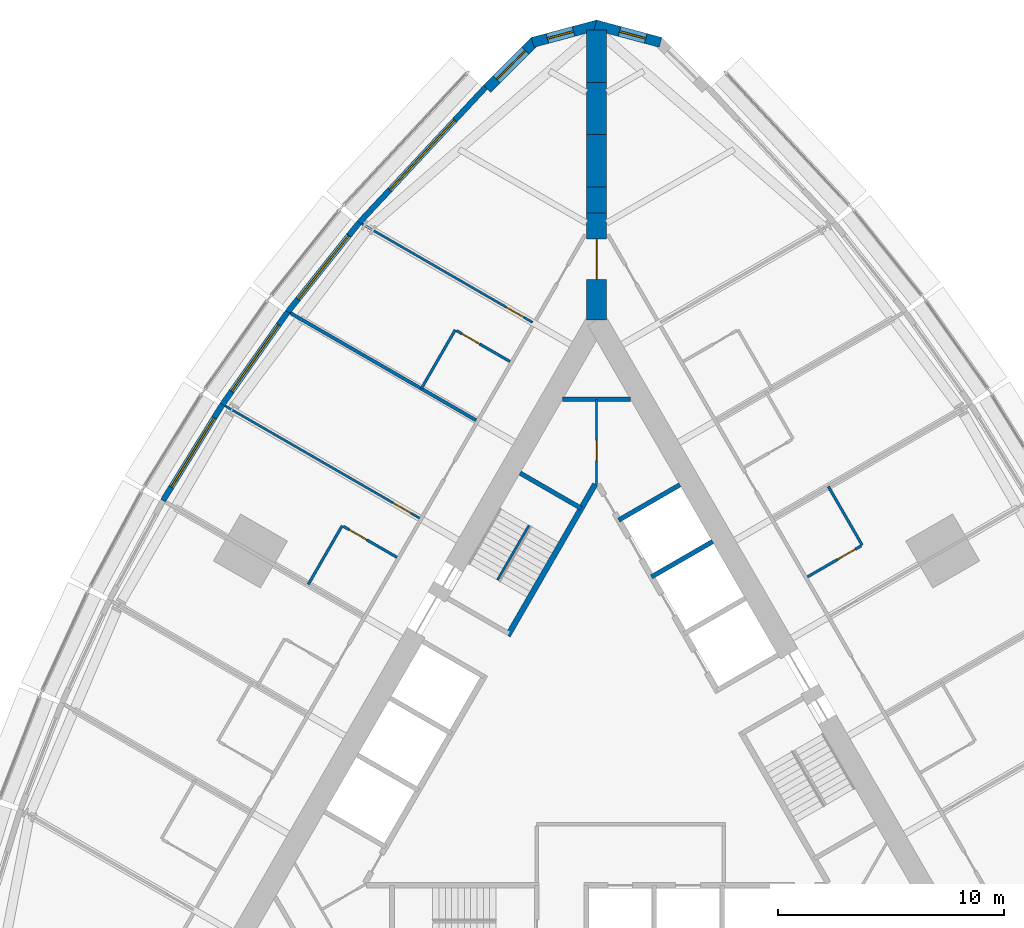
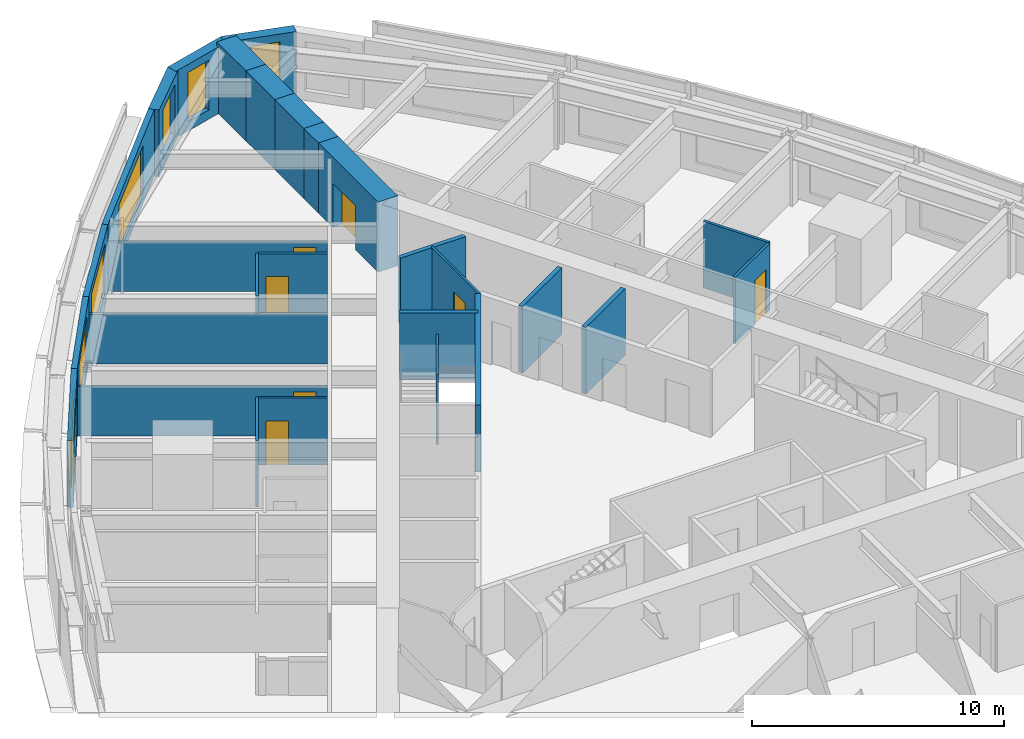
# One storey, part 12 of 14: 28 walls, 7 doors, 7 windows, 14 openings.
"""IFC4 building model written with IfcOpenShell, lengths in metres."""

from ifc_helpers import new_model, si_unit, direction, frame, frame_2d, origin, place, context, subcontext, project, spatial, polyline, rectangle, outline, extrude, material, layer, layer_set, type_object, element, fill, save


model = new_model("IFC4")

# Units and contexts
model_context = context("Model", 3, precision=1e-05, world=origin(), true_north=direction((0.0, 1.0)))
body_context = subcontext(model_context, "Body", "Model", "MODEL_VIEW")
ifc_project = project(units=[si_unit("LENGTHUNIT", "METRE"), si_unit("AREAUNIT", "SQUARE_METRE"), si_unit("VOLUMEUNIT", "CUBIC_METRE"), si_unit("PLANEANGLEUNIT", "RADIAN"), si_unit("MASSUNIT", "GRAM", prefix="KILO")], contexts=[model_context])

# Site, building, storey
site_placement = place(None, origin())
site = spatial("IfcSite", under=ifc_project, at=site_placement, CompositionType="ELEMENT")
building_placement = place(site_placement, origin())
building = spatial("IfcBuilding", under=site, at=building_placement, Name="Trikona Tower", CompositionType="ELEMENT")
storey_placement = place(building_placement, frame((0.0, 0.0, 72.699951171875)))
storey = spatial("IfcBuildingStorey", under=building, at=storey_placement, Name="L18", CompositionType="ELEMENT", Elevation=72.699951171875)

# Wall
ifc_material_1 = material(Name="Metal stud and cement board", Category="gypsum")
ifc_layer_1 = layer(ifc_material_1, 0.1201171875)
ifc_layer_set_1 = layer_set([ifc_layer_1], Name="Bathroom wall 120")
wall_type_1 = type_object("IfcWallType", Name="Bathroom wall 120", PredefinedType="PLUMBINGWALL", material=ifc_layer_set_1)
wall_1_placement = place(storey_placement, frame((11.75341796875, 9.09521484375, 0.0), z_axis=(0.0, 0.0, 1.0), x_axis=(-0.499990139034, 0.866031096941, 0.0)))
element("IfcWall", 1, at=wall_1_placement, inside=storey, type_object=wall_type_1, Name="Bathroom wall 1809.1", PredefinedType="PLUMBINGWALL", context=body_context, shape_type="SweptSolid", body=[
    extrude(rectangle(XDim=3.0, YDim=0.1201171875, at=frame_2d((1.5, 0.0))), origin(), (0.0, 0.0, 1.0), 3.235107421875),
])

# Wall, opening, door
wall_2_placement = place(storey_placement, frame((9.32861328125, 7.6953125, 0.0), z_axis=(0.0, 0.0, 1.0), x_axis=(0.866035715982, 0.499982138324, 0.0)))
wall_2 = element("IfcWall", 2, at=wall_2_placement, inside=storey, type_object=wall_type_1, Name="Bathroom wall 1809.1", PredefinedType="PLUMBINGWALL", context=body_context, shape_type="SweptSolid", body=[
    extrude(rectangle(XDim=2.73974609375, YDim=0.1201171875, at=frame_2d((1.369873046875, 0.0))), origin(), (0.0, 0.0, 1.0), 3.235107421875),
])
opening_1_placement = place(wall_2_placement, frame((1.550048828125, 0.0, 0.0)))
opening_1 = element("IfcOpeningElement", 3, at=opening_1_placement, cuts=wall_2, Name="Opening D2", PredefinedType="OPENING", context=body_context, shape_type="SweptSolid", body=[
    extrude(rectangle(XDim=0.89990234375, YDim=2.1298828125, at=frame_2d((0.449951171875, 1.06494140625))), frame((0.0, 0.070068359375, 0.0), z_axis=(0.0, -1.0, 0.0), x_axis=(1.0, 0.0, 0.0)), (0.0, 0.0, 1.0), 0.14013671875),
])
ifc_material_2 = material(Name="Steel door frame with solid-core timber leaf", Category="steel")
door_type_1 = type_object("IfcDoorType", Name="Bathroom door 900x2130", OperationType="SLIDING_TO_LEFT", PredefinedType="DOOR", material=ifc_material_2)
door_1_placement = place(opening_1_placement, origin())
door_1 = element("IfcDoor", 4, at=door_1_placement, inside=storey, type_object=door_type_1, Name="Bathroom door 1809.1", OperationType="SLIDING_TO_LEFT", OverallHeight=2.1298828125, OverallWidth=0.89990234375, PredefinedType="DOOR", context=body_context, shape_type="SweptSolid", body=[
    extrude(rectangle(XDim=0.89990234375, YDim=2.1298828125, at=frame_2d((0.449951171875, 1.06494140625))), frame((0.0, 0.02490234375, 0.0), z_axis=(0.0, -1.0, 0.0), x_axis=(1.0, 0.0, 0.0)), (0.0, 0.0, 1.0), 0.050048828125),
])
fill(opening_1, door_1)

# Wall
wall_3_placement = place(storey_placement, frame((-6.25341796875, 18.62158203125, 0.0), z_axis=(0.0, 0.0, 1.0), x_axis=(-0.499990139034, -0.866031096941, 0.0)))
element("IfcWall", 5, at=wall_3_placement, inside=storey, type_object=wall_type_1, Name="Bathroom wall 1812.1", PredefinedType="PLUMBINGWALL", context=body_context, shape_type="SweptSolid", body=[
    extrude(rectangle(XDim=3.0, YDim=0.1201171875, at=frame_2d((1.5, 0.0))), origin(), (0.0, 0.0, 1.0), 3.235107421875),
])

# Wall, opening, door
wall_4_placement = place(storey_placement, frame((-3.82861328125, 17.221435546875, 0.0), z_axis=(0.0, 0.0, 1.0), x_axis=(-0.865997131366, 0.500048966069, 0.0)))
wall_4 = element("IfcWall", 6, at=wall_4_placement, inside=storey, type_object=wall_type_1, Name="Bathroom wall 1812.1", PredefinedType="PLUMBINGWALL", context=body_context, shape_type="SweptSolid", body=[
    extrude(rectangle(XDim=2.739990234375, YDim=0.1201171875, at=frame_2d((1.3701171875, 0.0))), origin(), (0.0, 0.0, 1.0), 3.235107421875),
])
opening_2_placement = place(wall_4_placement, frame((1.550048828125, 0.0, 0.0)))
opening_2 = element("IfcOpeningElement", 7, at=opening_2_placement, cuts=wall_4, Name="Opening D2", PredefinedType="OPENING", context=body_context, shape_type="SweptSolid", body=[
    extrude(rectangle(XDim=0.89990234375, YDim=2.1298828125, at=frame_2d((0.449951171875, 1.06494140625))), frame((0.0, 0.070068359375, 0.0), z_axis=(0.0, -1.0, 0.0), x_axis=(1.0, 0.0, 0.0)), (0.0, 0.0, 1.0), 0.14013671875),
])
door_2_placement = place(opening_2_placement, origin())
door_2 = element("IfcDoor", 8, at=door_2_placement, inside=storey, type_object=door_type_1, Name="Bathroom door 1812.1", OperationType="SLIDING_TO_LEFT", OverallHeight=2.1298828125, OverallWidth=0.89990234375, PredefinedType="DOOR", context=body_context, shape_type="SweptSolid", body=[
    extrude(rectangle(XDim=0.89990234375, YDim=2.1298828125, at=frame_2d((0.449951171875, 1.06494140625))), frame((0.0, 0.02490234375, 0.0), z_axis=(0.0, -1.0, 0.0), x_axis=(1.0, 0.0, 0.0)), (0.0, 0.0, 1.0), 0.050048828125),
])
fill(opening_2, door_2)

# Wall
wall_5_placement = place(storey_placement, frame((-11.25341796875, 9.961181640625, 0.0), z_axis=(0.0, 0.0, 1.0), x_axis=(-0.499990139034, -0.866031096941, 0.0)))
element("IfcWall", 9, at=wall_5_placement, inside=storey, type_object=wall_type_1, Name="Bathroom wall 1813.1", PredefinedType="PLUMBINGWALL", context=body_context, shape_type="SweptSolid", body=[
    extrude(rectangle(XDim=3.0, YDim=0.1201171875, at=frame_2d((1.5, 0.0))), origin(), (0.0, 0.0, 1.0), 3.235107421875),
])

# Wall, opening, door
wall_6_placement = place(storey_placement, frame((-8.82861328125, 8.561279296875, 0.0), z_axis=(0.0, 0.0, 1.0), x_axis=(-0.866035715982, 0.499982138324, 0.0)))
wall_6 = element("IfcWall", 10, at=wall_6_placement, inside=storey, type_object=wall_type_1, Name="Bathroom wall 1813.1", PredefinedType="PLUMBINGWALL", context=body_context, shape_type="SweptSolid", body=[
    extrude(rectangle(XDim=2.73974609375, YDim=0.1201171875, at=frame_2d((1.369873046875, 0.0))), origin(), (0.0, 0.0, 1.0), 3.235107421875),
])
opening_3_placement = place(wall_6_placement, frame((1.550048828125, 0.0, 0.0)))
opening_3 = element("IfcOpeningElement", 11, at=opening_3_placement, cuts=wall_6, Name="Opening D2", PredefinedType="OPENING", context=body_context, shape_type="SweptSolid", body=[
    extrude(rectangle(XDim=0.89990234375, YDim=2.1298828125, at=frame_2d((0.449951171875, 1.06494140625))), frame((0.0, 0.070068359375, 0.0), z_axis=(0.0, -1.0, 0.0), x_axis=(1.0, 0.0, 0.0)), (0.0, 0.0, 1.0), 0.14013671875),
])
door_3_placement = place(opening_3_placement, origin())
door_3 = element("IfcDoor", 12, at=door_3_placement, inside=storey, type_object=door_type_1, Name="Bathroom door 1813.1", OperationType="SLIDING_TO_LEFT", OverallHeight=2.1298828125, OverallWidth=0.89990234375, PredefinedType="DOOR", context=body_context, shape_type="SweptSolid", body=[
    extrude(rectangle(XDim=0.89990234375, YDim=2.1298828125, at=frame_2d((0.449951171875, 1.06494140625))), frame((0.0, 0.02490234375, 0.0), z_axis=(0.0, -1.0, 0.0), x_axis=(1.0, 0.0, 0.0)), (0.0, 0.0, 1.0), 0.050048828125),
])
fill(opening_3, door_3)

# Wall, opening, window
ifc_material_3 = material(Name="Brick-faced precast concrete", Category="masonry")
ifc_layer_2 = layer(ifc_material_3, 0.449951171875)
ifc_layer_set_2 = layer_set([ifc_layer_2], Name="Brick-faced corner wall 450")
wall_type_2 = type_object("IfcWallType", Name="Brick-faced corner wall 450", PredefinedType="SOLIDWALL", material=ifc_layer_set_2)
wall_7_placement = place(storey_placement, frame((2.82861328125, 31.3408203125, 0.0), z_axis=(0.0, 0.0, 1.0), x_axis=(-0.965930548995, 0.258801419081, 0.0)))
wall_7 = element("IfcWall", 13, at=wall_7_placement, inside=storey, type_object=wall_type_2, Name="External wall L18-21", PredefinedType="SOLIDWALL", context=body_context, shape_type="SweptSolid", body=[
    extrude(outline(polyline([(2.988525390625, 0.22509765625), (2.92919921875, 0.22509765625), (2.4375, 0.09326171875), (2.40234375, 0.22509765625), (0.0, 0.22509765625), (0.0, -0.22509765625), (2.988525390625, -0.22509765625), (2.988525390625, 0.22509765625)])), origin(), (0.0, 0.0, 1.0), 3.235107421875),
])
opening_4_placement = place(wall_7_placement, frame((0.676025390625, 0.0, 0.449951171875)))
opening_4 = element("IfcOpeningElement", 14, at=opening_4_placement, cuts=wall_7, Name="Opening W1224", PredefinedType="OPENING", context=body_context, shape_type="SweptSolid", body=[
    extrude(rectangle(XDim=1.199951171875, YDim=2.39990234375, at=frame_2d((0.60009765625, 1.199951171875))), frame((0.0, 0.23486328125, 0.0), z_axis=(0.0, -1.0, 0.0), x_axis=(1.0, 0.0, 0.0)), (0.0, 0.0, 1.0), 0.469970703125),
])
ifc_material_4 = material(Name="Aluminium-framed double glazing", Category="aluminium")
window_type_1 = type_object("IfcWindowType", Name="Window 1200x2400", PartitioningType="SINGLE_PANEL", PredefinedType="WINDOW", material=ifc_material_4)
window_1_placement = place(opening_4_placement, origin())
window_1 = element("IfcWindow", 15, at=window_1_placement, inside=storey, type_object=window_type_1, Name="Window 1811", OverallHeight=2.39990234375, OverallWidth=1.199951171875, PartitioningType="SINGLE_PANEL", PredefinedType="WINDOW", context=body_context, shape_type="SweptSolid", body=[
    extrude(rectangle(XDim=1.199951171875, YDim=2.39990234375, at=frame_2d((0.60009765625, 1.199951171875))), frame((0.0, 0.030029296875, 0.0), z_axis=(0.0, -1.0, 0.0), x_axis=(1.0, 0.0, 0.0)), (0.0, 0.0, 1.0), 0.06005859375),
])
fill(opening_4, window_1)

wall_8_placement = place(storey_placement, frame((0.05810546875, 32.1142578125, 0.0), z_axis=(0.0, 0.0, 1.0), x_axis=(-0.965930548995, -0.258801419081, 0.0)))
wall_8 = element("IfcWall", 16, at=wall_8_placement, inside=storey, type_object=wall_type_2, Name="External wall L18-22", PredefinedType="SOLIDWALL", context=body_context, shape_type="SweptSolid", body=[
    extrude(outline(polyline([(2.988525390625, 0.22509765625), (0.58642578125, 0.22509765625), (0.551025390625, 0.09326171875), (0.059326171875, 0.22509765625), (0.0, 0.22509765625), (0.0, -0.22509765625), (2.988525390625, -0.22509765625), (2.988525390625, 0.22509765625)])), origin(), (0.0, 0.0, 1.0), 3.235107421875),
])
opening_5_placement = place(wall_8_placement, frame((1.112548828125, 0.0, 0.449951171875)))
opening_5 = element("IfcOpeningElement", 17, at=opening_5_placement, cuts=wall_8, Name="Opening W1224", PredefinedType="OPENING", context=body_context, shape_type="SweptSolid", body=[
    extrude(rectangle(XDim=1.199951171875, YDim=2.39990234375, at=frame_2d((0.60009765625, 1.199951171875))), frame((0.0, 0.23486328125, 0.0), z_axis=(0.0, -1.0, 0.0), x_axis=(1.0, 0.0, 0.0)), (0.0, 0.0, 1.0), 0.469970703125),
])
window_2_placement = place(opening_5_placement, origin())
window_2 = element("IfcWindow", 18, at=window_2_placement, inside=storey, type_object=window_type_1, Name="Window 1812", OverallHeight=2.39990234375, OverallWidth=1.199951171875, PartitioningType="SINGLE_PANEL", PredefinedType="WINDOW", context=body_context, shape_type="SweptSolid", body=[
    extrude(rectangle(XDim=1.199951171875, YDim=2.39990234375, at=frame_2d((0.60009765625, 1.199951171875))), frame((0.0, 0.030029296875, 0.0), z_axis=(0.0, -1.0, 0.0), x_axis=(1.0, 0.0, 0.0)), (0.0, 0.0, 1.0), 0.06005859375),
])
fill(opening_5, window_2)

wall_9_placement = place(storey_placement, frame((-2.727783203125, 31.39892578125, 0.0), z_axis=(0.0, 0.0, 1.0), x_axis=(-0.707106781187, -0.707106781187, 0.0)))
wall_9 = element("IfcWall", 19, at=wall_9_placement, inside=storey, type_object=wall_type_2, Name="External wall L18-23", PredefinedType="SOLIDWALL", context=body_context, shape_type="SweptSolid", body=[
    extrude(rectangle(XDim=2.98828125, YDim=0.449951171875, at=frame_2d((1.494140625, 0.0))), origin(), (0.0, 0.0, 1.0), 3.235107421875),
])
opening_6_placement = place(wall_9_placement, frame((0.59423828125, 0.0, 0.449951171875)))
opening_6 = element("IfcOpeningElement", 20, at=opening_6_placement, cuts=wall_9, Name="Opening W1824", PredefinedType="OPENING", context=body_context, shape_type="SweptSolid", body=[
    extrude(rectangle(XDim=1.800048828125, YDim=2.39990234375, at=frame_2d((0.89990234375, 1.199951171875))), frame((0.0, 0.23486328125, 0.0), z_axis=(0.0, -1.0, 0.0), x_axis=(1.0, 0.0, 0.0)), (0.0, 0.0, 1.0), 0.469970703125),
])
ifc_material_5 = material(Name="Aluminium-framed double glazing", Category="aluminium")
window_type_2 = type_object("IfcWindowType", Name="Window 1800x2400", PartitioningType="SINGLE_PANEL", PredefinedType="WINDOW", material=ifc_material_5)
window_3_placement = place(opening_6_placement, origin())
window_3 = element("IfcWindow", 21, at=window_3_placement, inside=storey, type_object=window_type_2, Name="Window 1812", OverallHeight=2.39990234375, OverallWidth=1.800048828125, PartitioningType="SINGLE_PANEL", PredefinedType="WINDOW", context=body_context, shape_type="SweptSolid", body=[
    extrude(rectangle(XDim=1.800048828125, YDim=2.39990234375, at=frame_2d((0.89990234375, 1.199951171875))), frame((0.0, 0.030029296875, 0.0), z_axis=(0.0, -1.0, 0.0), x_axis=(1.0, 0.0, 0.0)), (0.0, 0.0, 1.0), 0.06005859375),
])
fill(opening_6, window_3)

# Wall, opening, door
ifc_material_6 = material(Name="Concrete f'c 10000 psi", Category="concrete")
ifc_layer_3 = layer(ifc_material_6, 0.89990234375)
ifc_layer_set_3 = layer_set([ifc_layer_3], Name="Buttress wall 900")
wall_type_3 = type_object("IfcWallType", Name="Buttress wall 900", PredefinedType="SHEAR", material=ifc_layer_set_3)
wall_10_placement = place(storey_placement, frame((0.0, 19.052490234375, 0.0), z_axis=(0.0, 0.0, 1.0), x_axis=(0.0, 1.0, 0.0)))
wall_10 = element("IfcWall", 22, at=wall_10_placement, inside=storey, type_object=wall_type_3, Name="Buttress wall 2", PredefinedType="SHEAR", context=body_context, shape_type="SweptSolid", body=[
    extrude(rectangle(XDim=4.74609375, YDim=0.89990234375, at=frame_2d((2.373046875, 0.0))), origin(), (0.0, 0.0, 1.0), 3.400146484375),
])
opening_7_placement = place(wall_10_placement, frame((1.800048828125, 0.0, 0.0)))
opening_7 = element("IfcOpeningElement", 23, at=opening_7_placement, cuts=wall_10, Name="Opening D10", PredefinedType="OPENING", context=body_context, shape_type="SweptSolid", body=[
    extrude(rectangle(XDim=1.800048828125, YDim=2.1298828125, at=frame_2d((0.89990234375, 1.06494140625))), frame((0.0, 0.4599609375, 0.0), z_axis=(0.0, -1.0, 0.0), x_axis=(1.0, 0.0, 0.0)), (0.0, 0.0, 1.0), 0.919921875),
])
ifc_material_7 = material(Name="Hollow metal door and frame", Category="steel")
door_type_2 = type_object("IfcDoorType", Name="Cross-corridor door pair 1800x2130", OperationType="DOUBLE_DOOR_DOUBLE_SWING", PredefinedType="DOOR", material=ifc_material_7)
door_4_placement = place(opening_7_placement, origin())
door_4 = element("IfcDoor", 24, at=door_4_placement, inside=storey, type_object=door_type_2, Name="Cross-corridor door 2", OperationType="DOUBLE_DOOR_DOUBLE_SWING", OverallHeight=2.1298828125, OverallWidth=1.800048828125, PredefinedType="DOOR", context=body_context, shape_type="SweptSolid", body=[
    extrude(rectangle(XDim=1.800048828125, YDim=2.1298828125, at=frame_2d((0.89990234375, 1.06494140625))), frame((0.0, 0.02490234375, 0.0), z_axis=(0.0, -1.0, 0.0), x_axis=(1.0, 0.0, 0.0)), (0.0, 0.0, 1.0), 0.050048828125),
])
fill(opening_7, door_4)

# Walls
wall_11_placement = place(storey_placement, frame((0.0, 23.798583984375, 0.0), z_axis=(0.0, 0.0, 1.0), x_axis=(0.0, 1.0, 0.0)))
element("IfcWall", 25, at=wall_11_placement, inside=storey, type_object=wall_type_3, Name="Buttress wall 2 part 2", PredefinedType="SHEAR", context=body_context, shape_type="SweptSolid", body=[
    extrude(rectangle(XDim=1.15478515625, YDim=0.89990234375, at=frame_2d((0.577392578125, 0.0))), origin(), (0.0, 0.0, 1.0), 3.400146484375),
])
wall_12_placement = place(storey_placement, frame((0.0, 24.953369140625, 0.0), z_axis=(0.0, 0.0, 1.0), x_axis=(0.0, 1.0, 0.0)))
element("IfcWall", 26, at=wall_12_placement, inside=storey, type_object=wall_type_3, Name="Buttress wall 2 part 3", PredefinedType="SHEAR", context=body_context, shape_type="SweptSolid", body=[
    extrude(rectangle(XDim=2.309326171875, YDim=0.89990234375, at=frame_2d((1.15478515625, 0.0))), origin(), (0.0, 0.0, 1.0), 3.400146484375),
])
wall_13_placement = place(storey_placement, frame((0.0, 27.2626953125, 0.0), z_axis=(0.0, 0.0, 1.0), x_axis=(0.0, 1.0, 0.0)))
element("IfcWall", 27, at=wall_13_placement, inside=storey, type_object=wall_type_3, Name="Buttress wall 2 part 4", PredefinedType="SHEAR", context=body_context, shape_type="SweptSolid", body=[
    extrude(rectangle(XDim=2.3095703125, YDim=0.89990234375, at=frame_2d((1.15478515625, 0.0))), origin(), (0.0, 0.0, 1.0), 3.400146484375),
])
wall_14_placement = place(storey_placement, frame((0.0, 29.572265625, 0.0), z_axis=(0.0, 0.0, 1.0), x_axis=(0.0, 1.0, 0.0)))
element("IfcWall", 28, at=wall_14_placement, inside=storey, type_object=wall_type_3, Name="Buttress wall 2 part 5", PredefinedType="SHEAR", context=body_context, shape_type="SweptSolid", body=[
    extrude(rectangle(XDim=2.309326171875, YDim=0.89990234375, at=frame_2d((1.15478515625, 0.0))), origin(), (0.0, 0.0, 1.0), 3.400146484375),
])
ifc_material_8 = material(Name="Concrete f'c 8000 psi", Category="concrete")
ifc_layer_4 = layer(ifc_material_8, 0.25)
ifc_layer_set_4 = layer_set([ifc_layer_4], Name="Hub wall 250")
wall_type_4 = type_object("IfcWallType", Name="Hub wall 250", PredefinedType="SOLIDWALL", material=ifc_layer_set_4)
wall_15_placement = place(storey_placement, frame((-0.0625, 11.794189453125, 0.0), z_axis=(0.0, 0.0, 1.0), x_axis=(-0.500006680225, -0.86602154692, 0.0)))
element("IfcWall", 29, at=wall_15_placement, inside=storey, type_object=wall_type_4, Name="Lift lobby wall C1", PredefinedType="SOLIDWALL", context=body_context, shape_type="SweptSolid", body=[
    extrude(rectangle(XDim=7.73291015625, YDim=0.25, at=frame_2d((3.866455078125, 0.0))), origin(), (0.0, 0.0, 1.0), 3.235107421875),
])

# Wall, opening, window
ifc_material_9 = material(Name="Insulated precast concrete spandrel panel", Category="concrete")
ifc_layer_5 = layer(ifc_material_9, 0.25)
ifc_layer_set_5 = layer_set([ifc_layer_5], Name="Inner skin wall 250")
wall_type_5 = type_object("IfcWallType", Name="Inner skin wall 250", PredefinedType="STANDARD", material=ifc_layer_set_5)
wall_16_placement = place(storey_placement, frame((-4.90869140625, 29.359619140625, 0.0), z_axis=(0.0, 0.0, 1.0), x_axis=(-0.682289646561, -0.731081964075, 0.0)))
wall_16 = element("IfcWall", 30, at=wall_16_placement, inside=storey, type_object=wall_type_5, Name="External wall L18-24", PredefinedType="STANDARD", context=body_context, shape_type="SweptSolid", body=[
    extrude(rectangle(XDim=8.2109375, YDim=0.25, at=frame_2d((4.10546875, 0.0))), origin(), (0.0, 0.0, 1.0), 3.235107421875),
])
opening_8_placement = place(wall_16_placement, frame((2.005615234375, 0.0, 0.449951171875)))
opening_8 = element("IfcOpeningElement", 31, at=opening_8_placement, cuts=wall_16, Name="Opening W4224", PredefinedType="OPENING", context=body_context, shape_type="SweptSolid", body=[
    extrude(rectangle(XDim=4.199951171875, YDim=2.39990234375, at=frame_2d((2.10009765625, 1.199951171875))), frame((0.0, 0.135009765625, 0.0), z_axis=(0.0, -1.0, 0.0), x_axis=(1.0, 0.0, 0.0)), (0.0, 0.0, 1.0), 0.27001953125),
])
ifc_material_10 = material(Name="Aluminium-framed double glazing", Category="aluminium")
window_type_3 = type_object("IfcWindowType", Name="Window 4200x2400", PartitioningType="SINGLE_PANEL", PredefinedType="WINDOW", material=ifc_material_10)
window_4_placement = place(opening_8_placement, origin())
window_4 = element("IfcWindow", 32, at=window_4_placement, inside=storey, type_object=window_type_3, Name="Window 1812", OverallHeight=2.39990234375, OverallWidth=4.199951171875, PartitioningType="SINGLE_PANEL", PredefinedType="WINDOW", context=body_context, shape_type="SweptSolid", body=[
    extrude(rectangle(XDim=4.199951171875, YDim=2.39990234375, at=frame_2d((2.10009765625, 1.199951171875))), frame((0.0, 0.030029296875, 0.0), z_axis=(0.0, -1.0, 0.0), x_axis=(1.0, 0.0, 0.0)), (0.0, 0.0, 1.0), 0.06005859375),
])
fill(opening_8, window_4)

wall_17_placement = place(storey_placement, frame((-10.5048828125, 23.36376953125, 0.0), z_axis=(0.0, 0.0, 1.0), x_axis=(-0.624594965756, -0.780948864364, 0.0)))
wall_17 = element("IfcWall", 33, at=wall_17_placement, inside=storey, type_object=wall_type_5, Name="External wall L18-25", PredefinedType="STANDARD", context=body_context, shape_type="SweptSolid", body=[
    extrude(rectangle(XDim=5.0576171875, YDim=0.25, at=frame_2d((2.52880859375, 0.0))), origin(), (0.0, 0.0, 1.0), 3.235107421875),
])
opening_9_placement = place(wall_17_placement, frame((0.728759765625, 0.0, 0.449951171875)))
opening_9 = element("IfcOpeningElement", 34, at=opening_9_placement, cuts=wall_17, Name="Opening W3624", PredefinedType="OPENING", context=body_context, shape_type="SweptSolid", body=[
    extrude(rectangle(XDim=3.60009765625, YDim=2.39990234375, at=frame_2d((1.800048828125, 1.199951171875))), frame((0.0, 0.135009765625, 0.0), z_axis=(0.0, -1.0, 0.0), x_axis=(1.0, 0.0, 0.0)), (0.0, 0.0, 1.0), 0.27001953125),
])
ifc_material_11 = material(Name="Aluminium-framed double glazing", Category="aluminium")
window_type_4 = type_object("IfcWindowType", Name="Window 3600x2400", PartitioningType="SINGLE_PANEL", PredefinedType="WINDOW", material=ifc_material_11)
window_5_placement = place(opening_9_placement, origin())
window_5 = element("IfcWindow", 35, at=window_5_placement, inside=storey, type_object=window_type_4, Name="Window 1812.1", OverallHeight=2.39990234375, OverallWidth=3.60009765625, PartitioningType="SINGLE_PANEL", PredefinedType="WINDOW", context=body_context, shape_type="SweptSolid", body=[
    extrude(rectangle(XDim=3.60009765625, YDim=2.39990234375, at=frame_2d((1.800048828125, 1.199951171875))), frame((0.0, 0.030029296875, 0.0), z_axis=(0.0, -1.0, 0.0), x_axis=(1.0, 0.0, 0.0)), (0.0, 0.0, 1.0), 0.06005859375),
])
fill(opening_9, window_5)

wall_18_placement = place(storey_placement, frame((-13.659423828125, 19.420166015625, 0.0), z_axis=(0.0, 0.0, 1.0), x_axis=(-0.5766431066, -0.81699616132, 0.0)))
wall_18 = element("IfcWall", 36, at=wall_18_placement, inside=storey, type_object=wall_type_5, Name="External wall L18-26", PredefinedType="STANDARD", context=body_context, shape_type="SweptSolid", body=[
    extrude(rectangle(XDim=5.02099609375, YDim=0.25, at=frame_2d((2.510498046875, 0.0))), origin(), (0.0, 0.0, 1.0), 3.235107421875),
])
opening_10_placement = place(wall_18_placement, frame((0.71044921875, 0.0, 0.449951171875)))
opening_10 = element("IfcOpeningElement", 37, at=opening_10_placement, cuts=wall_18, Name="Opening W3624", PredefinedType="OPENING", context=body_context, shape_type="SweptSolid", body=[
    extrude(rectangle(XDim=3.60009765625, YDim=2.39990234375, at=frame_2d((1.800048828125, 1.199951171875))), frame((0.0, 0.135009765625, 0.0), z_axis=(0.0, -1.0, 0.0), x_axis=(1.0, 0.0, 0.0)), (0.0, 0.0, 1.0), 0.27001953125),
])
window_6_placement = place(opening_10_placement, origin())
window_6 = element("IfcWindow", 38, at=window_6_placement, inside=storey, type_object=window_type_4, Name="Window 1813", OverallHeight=2.39990234375, OverallWidth=3.60009765625, PartitioningType="SINGLE_PANEL", PredefinedType="WINDOW", context=body_context, shape_type="SweptSolid", body=[
    extrude(rectangle(XDim=3.60009765625, YDim=2.39990234375, at=frame_2d((1.800048828125, 1.199951171875))), frame((0.0, 0.030029296875, 0.0), z_axis=(0.0, -1.0, 0.0), x_axis=(1.0, 0.0, 0.0)), (0.0, 0.0, 1.0), 0.06005859375),
])
fill(opening_10, window_6)

wall_19_placement = place(storey_placement, frame((-16.550537109375, 15.324462890625, 0.0), z_axis=(0.0, 0.0, 1.0), x_axis=(-0.526132807704, -0.850402415717, 0.0)))
wall_19 = element("IfcWall", 39, at=wall_19_placement, inside=storey, type_object=wall_type_5, Name="External wall L18-27", PredefinedType="STANDARD", context=body_context, shape_type="SweptSolid", body=[
    extrude(rectangle(XDim=5.002197265625, YDim=0.25, at=frame_2d((2.5009765625, 0.0))), origin(), (0.0, 0.0, 1.0), 3.235107421875),
])
opening_11_placement = place(wall_19_placement, frame((0.701171875, 0.0, 0.449951171875)))
opening_11 = element("IfcOpeningElement", 40, at=opening_11_placement, cuts=wall_19, Name="Opening W3624", PredefinedType="OPENING", context=body_context, shape_type="SweptSolid", body=[
    extrude(rectangle(XDim=3.60009765625, YDim=2.39990234375, at=frame_2d((1.800048828125, 1.199951171875))), frame((0.0, 0.135009765625, 0.0), z_axis=(0.0, -1.0, 0.0), x_axis=(1.0, 0.0, 0.0)), (0.0, 0.0, 1.0), 0.27001953125),
])
window_7_placement = place(opening_11_placement, origin())
window_7 = element("IfcWindow", 41, at=window_7_placement, inside=storey, type_object=window_type_4, Name="Window 1813.1", OverallHeight=2.39990234375, OverallWidth=3.60009765625, PartitioningType="SINGLE_PANEL", PredefinedType="WINDOW", context=body_context, shape_type="SweptSolid", body=[
    extrude(rectangle(XDim=3.60009765625, YDim=2.39990234375, at=frame_2d((1.800048828125, 1.199951171875))), frame((0.0, 0.030029296875, 0.0), z_axis=(0.0, -1.0, 0.0), x_axis=(1.0, 0.0, 0.0)), (0.0, 0.0, 1.0), 0.06005859375),
])
fill(opening_11, window_7)

# Walls
ifc_material_12 = material(Name="Metal stud and gypsum board, 1-hour acoustic", Category="gypsum")
ifc_layer_6 = layer(ifc_material_12, 0.14990234375)
ifc_layer_set_6 = layer_set([ifc_layer_6], Name="Party wall 150")
wall_type_6 = type_object("IfcWallType", Name="Party wall 150", PredefinedType="PARTITIONING", material=ifc_layer_set_6)
wall_20_placement = place(storey_placement, frame((-5.32861328125, 14.623291015625, 0.0), z_axis=(0.0, 0.0, 1.0), x_axis=(-0.866018409083, 0.500012114982, 0.0)))
element("IfcWall", 42, at=wall_20_placement, inside=storey, type_object=wall_type_6, Name="Partition L18 F3 u-10", PredefinedType="PARTITIONING", context=body_context, shape_type="SweptSolid", body=[
    extrude(rectangle(XDim=9.484619140625, YDim=0.14990234375, at=frame_2d((4.7421875, 0.0))), origin(), (0.0, 0.0, 1.0), 2.38916015625),
])
ifc_material_13 = material(Name="Concrete f'c 8000 psi", Category="concrete")
ifc_layer_7 = layer(ifc_material_13, 0.199951171875)
ifc_layer_set_7 = layer_set([ifc_layer_7], Name="Shaft wall 200")
wall_type_7 = type_object("IfcWallType", Name="Shaft wall 200", PredefinedType="SOLIDWALL", material=ifc_layer_set_7)
for number, where, z_axis, x_axis, name in (
    (43, (2.428955078125, 7.695556640625, 0.0), (0.0, 0.0, 1.0), (0.866022959057, 0.500004234368, 0.0), "Shaft wall B5"),
    (44, (0.97900390625, 10.20703125, 0.0), (0.0, 0.0, 1.0), (0.866022959057, 0.500004234368, 0.0), "Shaft wall B6"),
):
    element("IfcWall", number, at=place(storey_placement, frame(where, z_axis=z_axis, x_axis=x_axis)), inside=storey, type_object=wall_type_7, Name=name, PredefinedType="SOLIDWALL", context=body_context, shape_type="SweptSolid", body=[
        extrude(rectangle(XDim=3.125, YDim=0.199951171875, at=frame_2d((1.5625, 0.0))), origin(), (0.0, 0.0, 1.0), 3.235107421875),
    ])
wall_21_placement = place(storey_placement, frame((-1.501220703125, 15.552490234375, 0.0), z_axis=(0.0, 0.0, 1.0), x_axis=(1.0, 0.0, 0.0)))
element("IfcWall", 45, at=wall_21_placement, inside=storey, type_object=wall_type_7, Name="Riser wall L18-RS2", PredefinedType="SOLIDWALL", context=body_context, shape_type="SweptSolid", body=[
    extrude(rectangle(XDim=3.00244140625, YDim=0.199951171875, at=frame_2d((1.501220703125, 0.0))), origin(), (0.0, 0.0, 1.0), 3.235107421875),
])
ifc_material_14 = material(Name="Concrete f'c 8000 psi", Category="concrete")
ifc_layer_8 = layer(ifc_material_14, 0.199951171875)
ifc_layer_set_8 = layer_set([ifc_layer_8], Name="Shaft wall 200 load-bearing")
wall_type_8 = type_object("IfcWallType", Name="Shaft wall 200 load-bearing", PredefinedType="SOLIDWALL", material=ifc_layer_set_8)
wall_22_placement = place(storey_placement, frame((-0.678955078125, 10.7265625, 0.0), z_axis=(0.0, 0.0, 1.0), x_axis=(-0.866022959057, 0.500004234368, 0.0)))
element("IfcWall", 46, at=wall_22_placement, inside=storey, type_object=wall_type_8, Name="Shaft wall C1", PredefinedType="SOLIDWALL", context=body_context, shape_type="SweptSolid", body=[
    extrude(rectangle(XDim=3.125, YDim=0.199951171875, at=frame_2d((1.5625, 0.0))), origin(), (0.0, 0.0, 1.0), 3.235107421875),
])
ifc_material_15 = material(Name="Concrete f'c 5000 psi", Category="concrete")
ifc_layer_9 = layer(ifc_material_15, 0.10009765625)
ifc_layer_set_9 = layer_set([ifc_layer_9], Name="Stair spine wall 100")
wall_type_9 = type_object("IfcWallType", Name="Stair spine wall 100", PredefinedType="SOLIDWALL", material=ifc_layer_set_9)
wall_23_placement = place(storey_placement, frame((-2.98779296875, 9.9775390625, 0.0), z_axis=(0.0, 0.0, 1.0), x_axis=(-0.499992232847, -0.866029888106, 0.0)))
element("IfcWall", 47, at=wall_23_placement, inside=storey, type_object=wall_type_9, Name="Stair C spine wall L18", PredefinedType="SOLIDWALL", context=body_context, shape_type="SweptSolid", body=[
    extrude(rectangle(XDim=2.7939453125, YDim=0.10009765625, at=frame_2d((1.39697265625, 0.0))), origin(), (0.0, 0.0, 1.0), 3.400146484375),
])

# Wall, opening, door
ifc_material_16 = material(Name="Metal stud and gypsum board, acoustic", Category="gypsum")
ifc_layer_10 = layer(ifc_material_16, 0.10009765625)
ifc_layer_set_10 = layer_set([ifc_layer_10], Name="Suite partition 100")
wall_type_10 = type_object("IfcWallType", Name="Suite partition 100", PredefinedType="PARTITIONING", material=ifc_layer_set_10)
wall_24_placement = place(storey_placement, frame((-2.82861328125, 18.95361328125, 0.0), z_axis=(0.0, 0.0, 1.0), x_axis=(-0.866020536561, 0.500008430184, 0.0)))
wall_24 = element("IfcWall", 48, at=wall_24_placement, inside=storey, type_object=wall_type_10, Name="Suite partition L18 F3 u-15", PredefinedType="PARTITIONING", context=body_context, shape_type="SweptSolid", body=[
    extrude(rectangle(XDim=8.719970703125, YDim=0.10009765625, at=frame_2d((4.35986328125, 0.0))), origin(), (0.0, 0.0, 1.0), 2.38916015625),
])
opening_12_placement = place(wall_24_placement, frame((0.449951171875, 0.0, 0.0)))
opening_12 = element("IfcOpeningElement", 49, at=opening_12_placement, cuts=wall_24, Name="Opening D13", PredefinedType="OPENING", context=body_context, shape_type="SweptSolid", body=[
    extrude(rectangle(XDim=0.89990234375, YDim=2.1298828125, at=frame_2d((0.449951171875, 1.06494140625))), frame((0.0, 0.06005859375, 0.0), z_axis=(0.0, -1.0, 0.0), x_axis=(1.0, 0.0, 0.0)), (0.0, 0.0, 1.0), 0.1201171875),
])
ifc_material_17 = material(Name="Steel door frame with solid-core timber leaf", Category="steel")
door_type_3 = type_object("IfcDoorType", Name="Suite door 900x2130", OperationType="SINGLE_SWING_LEFT", PredefinedType="DOOR", material=ifc_material_17)
door_5_placement = place(opening_12_placement, origin())
door_5 = element("IfcDoor", 50, at=door_5_placement, inside=storey, type_object=door_type_3, Name="Suite door 1812", OperationType="SINGLE_SWING_LEFT", OverallHeight=2.1298828125, OverallWidth=0.89990234375, PredefinedType="DOOR", context=body_context, shape_type="SweptSolid", body=[
    extrude(rectangle(XDim=0.89990234375, YDim=2.1298828125, at=frame_2d((0.449951171875, 1.06494140625))), frame((0.0, 0.02490234375, 0.0), z_axis=(0.0, -1.0, 0.0), x_axis=(1.0, 0.0, 0.0)), (0.0, 0.0, 1.0), 0.050048828125),
])
fill(opening_12, door_5)

wall_25_placement = place(storey_placement, frame((-7.82861328125, 10.293212890625, 0.0), z_axis=(0.0, 0.0, 1.0), x_axis=(-0.866016302457, 0.50001576363, 0.0)))
wall_25 = element("IfcWall", 51, at=wall_25_placement, inside=storey, type_object=wall_type_10, Name="Suite partition L18 F3 u-5", PredefinedType="PARTITIONING", context=body_context, shape_type="SweptSolid", body=[
    extrude(rectangle(XDim=9.943115234375, YDim=0.10009765625, at=frame_2d((4.9716796875, 0.0))), origin(), (0.0, 0.0, 1.0), 2.38916015625),
])
opening_13_placement = place(wall_25_placement, frame((0.449951171875, 0.0, 0.0)))
opening_13 = element("IfcOpeningElement", 52, at=opening_13_placement, cuts=wall_25, Name="Opening D13", PredefinedType="OPENING", context=body_context, shape_type="SweptSolid", body=[
    extrude(rectangle(XDim=0.89990234375, YDim=2.1298828125, at=frame_2d((0.449951171875, 1.06494140625))), frame((0.0, 0.06005859375, 0.0), z_axis=(0.0, -1.0, 0.0), x_axis=(1.0, 0.0, 0.0)), (0.0, 0.0, 1.0), 0.1201171875),
])
door_6_placement = place(opening_13_placement, origin())
door_6 = element("IfcDoor", 53, at=door_6_placement, inside=storey, type_object=door_type_3, Name="Suite door 1813", OperationType="SINGLE_SWING_LEFT", OverallHeight=2.1298828125, OverallWidth=0.89990234375, PredefinedType="DOOR", context=body_context, shape_type="SweptSolid", body=[
    extrude(rectangle(XDim=0.89990234375, YDim=2.1298828125, at=frame_2d((0.449951171875, 1.06494140625))), frame((0.0, 0.02490234375, 0.0), z_axis=(0.0, -1.0, 0.0), x_axis=(1.0, 0.0, 0.0)), (0.0, 0.0, 1.0), 0.050048828125),
])
fill(opening_13, door_6)

wall_26_placement = place(storey_placement, frame((0.0, 15.552490234375, 0.0), z_axis=(0.0, 0.0, 1.0), x_axis=(0.0, -1.0, 0.0)))
wall_26 = element("IfcWall", 54, at=wall_26_placement, inside=storey, type_object=wall_type_10, Name="Store partition L18-RS2", PredefinedType="PARTITIONING", context=body_context, shape_type="SweptSolid", body=[
    extrude(rectangle(XDim=3.775146484375, YDim=0.10009765625, at=frame_2d((1.8876953125, 0.0))), origin(), (0.0, 0.0, 1.0), 3.235107421875),
])
opening_14_placement = place(wall_26_placement, frame((1.815185546875, 0.0, 0.0)))
opening_14 = element("IfcOpeningElement", 55, at=opening_14_placement, cuts=wall_26, Name="Opening D15", PredefinedType="OPENING", context=body_context, shape_type="SweptSolid", body=[
    extrude(rectangle(XDim=0.89990234375, YDim=2.1298828125, at=frame_2d((0.449951171875, 1.06494140625))), frame((0.0, 0.06005859375, 0.0), z_axis=(0.0, -1.0, 0.0), x_axis=(1.0, 0.0, 0.0)), (0.0, 0.0, 1.0), 0.1201171875),
])
ifc_material_18 = material(Name="Steel door frame with solid-core timber leaf", Category="steel")
door_type_4 = type_object("IfcDoorType", Name="Store door 900x2130", OperationType="SINGLE_SWING_LEFT", PredefinedType="DOOR", material=ifc_material_18)
door_7_placement = place(opening_14_placement, origin())
door_7 = element("IfcDoor", 56, at=door_7_placement, inside=storey, type_object=door_type_4, Name="Door Minibar store MBS", OperationType="SINGLE_SWING_RIGHT", OverallHeight=2.1298828125, OverallWidth=0.89990234375, PredefinedType="DOOR", context=body_context, shape_type="SweptSolid", body=[
    extrude(rectangle(XDim=0.89990234375, YDim=2.1298828125, at=frame_2d((0.449951171875, 1.06494140625))), frame((0.0, 0.02490234375, 0.0), z_axis=(0.0, -1.0, 0.0), x_axis=(1.0, 0.0, 0.0)), (0.0, 0.0, 1.0), 0.050048828125),
])
fill(opening_14, door_7)

save(model, "model.ifc")
